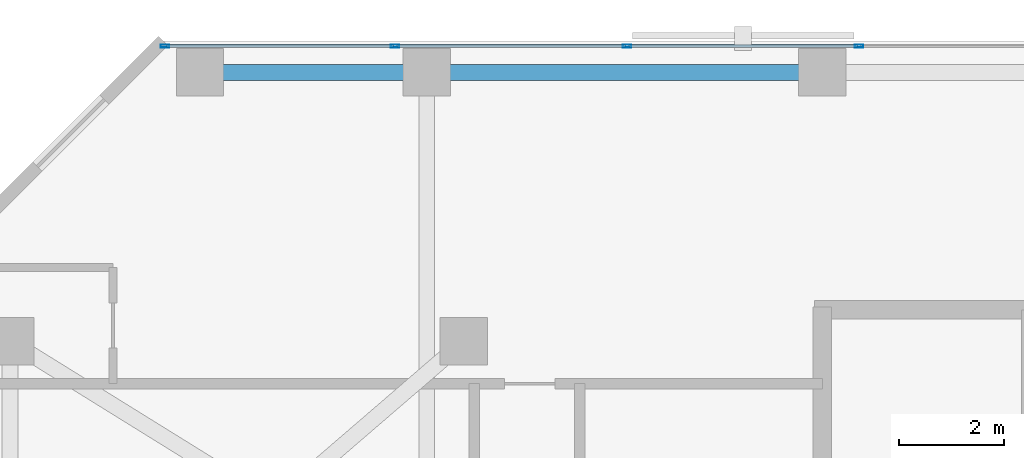
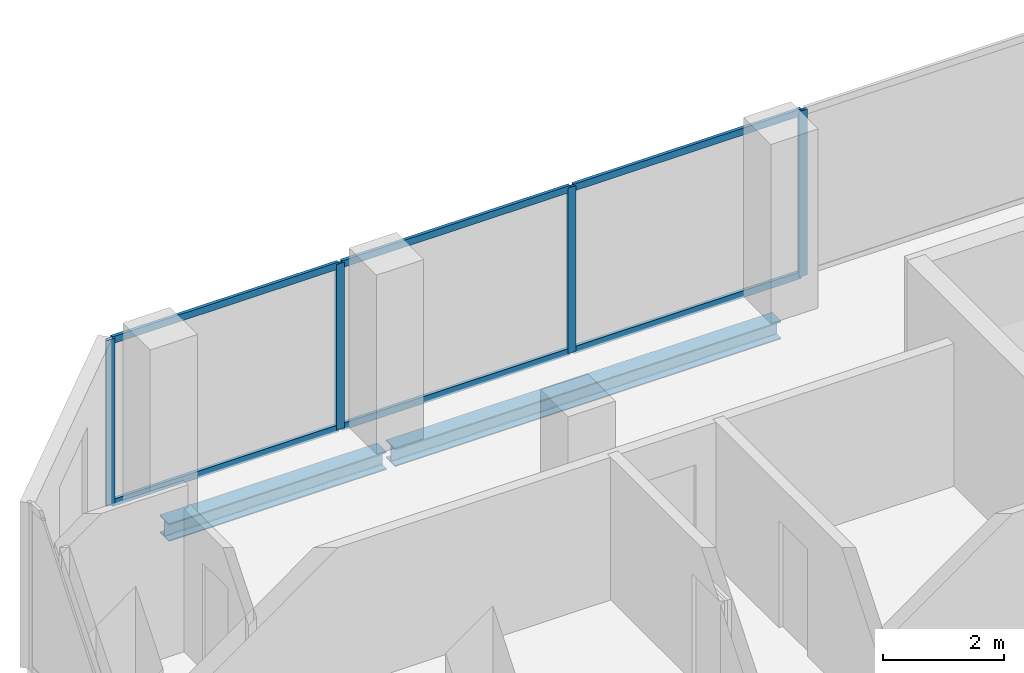
# One storey, part 19 of 33: 10 members, 2 beams, 1 element without a shape of its own.
"""IFC4 building model written with IfcOpenShell, lengths in metres."""

from ifc_helpers import new_model, si_unit, direction, frame, origin, origin_2d, place, context, subcontext, project, spatial, hollow_rectangle, i_section, extrude, material, layer, layer_set, material_profile, profile_set, type_object, element, aggregate, save


model = new_model("IFC4")

# Units and contexts
model_context = context("Model", 3, precision=1e-05, world=origin(), true_north=direction((0.0, 1.0)))
body_context = subcontext(model_context, "Body", "Model", "MODEL_VIEW")
ifc_project = project(units=[si_unit("LENGTHUNIT", "METRE"), si_unit("AREAUNIT", "SQUARE_METRE"), si_unit("VOLUMEUNIT", "CUBIC_METRE"), si_unit("PLANEANGLEUNIT", "RADIAN"), si_unit("MASSUNIT", "GRAM", prefix="KILO")], contexts=[model_context])

# Site, building, storey
site_placement = place(None, origin())
site = spatial("IfcSite", under=ifc_project, at=site_placement, CompositionType="ELEMENT")
building_placement = place(site_placement, origin())
building = spatial("IfcBuilding", under=site, at=building_placement, Name="Catumbela Crestline Tower", CompositionType="ELEMENT")
storey_placement = place(building_placement, frame((0.0, 0.0, 104.4)))
storey = spatial("IfcBuildingStorey", under=building, at=storey_placement, Name="L26", CompositionType="ELEMENT", Elevation=104.4)

# Curtain wall, members
ifc_material_1 = material(Name="Aluminium alloy AW-6060-T66", Category="aluminium")
ifc_layer = layer(ifc_material_1, 0.18, Name="Aluminium alloy AW-6060-T66")
ifc_layer_set = layer_set([ifc_layer], Name="Aluminium alloy AW-6060-T66")
curtain_wall_type = type_object("IfcCurtainWallType", Name="CWU-Z2", PredefinedType="USERDEFINED", material=ifc_layer_set)
curtain_wall_placement = place(storey_placement, origin())
curtain_wall = element("IfcCurtainWall", 1, at=curtain_wall_placement, inside=storey, type_object=curtain_wall_type, Name="L26 Unitised Curtain Wall CW-L26-E7S1", ObjectType="UNITISED", PredefinedType="USERDEFINED")
ifc_material_profile_1 = material_profile(ifc_material_1, hollow_rectangle(XDim=0.06, YDim=0.16, WallThickness=0.004, at=origin_2d()), Name="ALU 160x60x4")
ifc_profile_set_1 = profile_set([ifc_material_profile_1], Name="Aluminium alloy AW-6060-T66")
member_type_1 = type_object("IfcMemberType", Name="MUL-160X60", PredefinedType="MULLION", material=ifc_profile_set_1)
member_1_placement = place(storey_placement, frame((16.7, 47.9, 0.0), z_axis=(0.0, 0.0, 1.0), x_axis=(0.0, -1.0, 0.0)))
member_1 = element("IfcMember", 2, at=member_1_placement, type_object=member_type_1, Name="CWU-Z2 mullion 8", PredefinedType="MULLION", context=body_context, shape_type="SweptSolid", body=[
    extrude(hollow_rectangle(XDim=0.06, YDim=0.16, WallThickness=0.004, at=origin_2d()), origin(), (0.0, 0.0, 1.0), 3.33),
])
member_2_placement = place(storey_placement, frame((12.3, 47.9, 0.0), z_axis=(0.0, 0.0, 1.0), x_axis=(0.0, -1.0, 0.0)))
member_2 = element("IfcMember", 3, at=member_2_placement, type_object=member_type_1, Name="CWU-Z2 mullion 9", PredefinedType="MULLION", context=body_context, shape_type="SweptSolid", body=[
    extrude(hollow_rectangle(XDim=0.06, YDim=0.16, WallThickness=0.004, at=origin_2d()), origin(), (0.0, 0.0, 1.0), 3.33),
])
member_3_placement = place(storey_placement, frame((7.9, 47.9, 0.0), z_axis=(0.0, 0.0, 1.0), x_axis=(0.0, -1.0, 0.0)))
member_3 = element("IfcMember", 4, at=member_3_placement, type_object=member_type_1, Name="CWU-Z2 mullion 10", PredefinedType="MULLION", context=body_context, shape_type="SweptSolid", body=[
    extrude(hollow_rectangle(XDim=0.06, YDim=0.16, WallThickness=0.004, at=origin_2d()), origin(), (0.0, 0.0, 1.0), 3.33),
])
member_4_placement = place(storey_placement, frame((3.5325, 47.9, 0.0), z_axis=(0.0, 0.0, 1.0), x_axis=(0.0, -1.0, 0.0)))
member_4 = element("IfcMember", 5, at=member_4_placement, type_object=member_type_1, Name="CWU-Z2 mullion 11", PredefinedType="MULLION", context=body_context, shape_type="SweptSolid", body=[
    extrude(hollow_rectangle(XDim=0.06, YDim=0.16, WallThickness=0.004, at=origin_2d()), origin(), (0.0, 0.0, 1.0), 3.33),
])

# Beams
ifc_material_2 = material(Name="Structural steel S355J2", Category="steel")
ifc_material_profile_2 = material_profile(ifc_material_2, i_section(OverallWidth=0.3, OverallDepth=0.36, WebThickness=0.0125, FlangeThickness=0.0225, FilletRadius=0.027, at=origin_2d()), Name="HEB 360")
ifc_profile_set_2 = profile_set([ifc_material_profile_2], Name="Structural steel S355J2")
beam_type = type_object("IfcBeamType", Name="BS-HEB360", PredefinedType="SPANDREL", material=ifc_profile_set_2)
beam_1_placement = place(storey_placement, frame((4.28, 47.4, -0.44), z_axis=(1.0, 0.0, 0.0), x_axis=(0.0, 1.0, 0.0)))
element("IfcBeam", 6, at=beam_1_placement, inside=storey, type_object=beam_type, Name="L26 Spandrel SP-L26-NF17", PredefinedType="SPANDREL", context=body_context, shape_type="SweptSolid", body=[
    extrude(i_section(OverallWidth=0.3, OverallDepth=0.36, WebThickness=0.0125, FlangeThickness=0.0225, FilletRadius=0.027, at=origin_2d()), origin(), (0.0, 0.0, 1.0), 4.14),
])
beam_2_placement = place(storey_placement, frame((8.58, 47.4, -0.44), z_axis=(1.0, 0.0, 0.0), x_axis=(0.0, 1.0, 0.0)))
element("IfcBeam", 7, at=beam_2_placement, inside=storey, type_object=beam_type, Name="L26 Spandrel SP-L26-NF18", PredefinedType="SPANDREL", context=body_context, shape_type="SweptSolid", body=[
    extrude(i_section(OverallWidth=0.3, OverallDepth=0.36, WebThickness=0.0125, FlangeThickness=0.0225, FilletRadius=0.027, at=origin_2d()), origin(), (0.0, 0.0, 1.0), 7.34),
])

# Member
ifc_material_profile_3 = material_profile(ifc_material_1, hollow_rectangle(XDim=0.06, YDim=0.14, WallThickness=0.004, at=origin_2d()), Name="ALU 140x60x4")
ifc_profile_set_3 = profile_set([ifc_material_profile_3], Name="Aluminium alloy AW-6060-T66")
member_type_2 = type_object("IfcMemberType", Name="TRN-140X60", PredefinedType="USERDEFINED", material=ifc_profile_set_3)
member_5_placement = place(storey_placement, frame((16.6675, 47.9, 0.03), z_axis=(-1.0, 0.0, 0.0), x_axis=(0.0, -1.0, 0.0)))
member_5 = element("IfcMember", 8, at=member_5_placement, type_object=member_type_2, Name="CWU-Z2 transom 8.1", ObjectType="TRANSOM", PredefinedType="USERDEFINED", context=body_context, shape_type="SweptSolid", body=[
    extrude(hollow_rectangle(XDim=0.06, YDim=0.14, WallThickness=0.004, at=origin_2d()), origin(), (0.0, 0.0, 1.0), 4.335),
])

member_6_placement = place(storey_placement, frame((16.6675, 47.9, 3.3), z_axis=(-1.0, 0.0, 0.0), x_axis=(0.0, -1.0, 0.0)))
member_6 = element("IfcMember", 9, at=member_6_placement, type_object=member_type_2, Name="CWU-Z2 transom 8.2", ObjectType="TRANSOM", PredefinedType="USERDEFINED", context=body_context, shape_type="SweptSolid", body=[
    extrude(hollow_rectangle(XDim=0.06, YDim=0.14, WallThickness=0.004, at=origin_2d()), origin(), (0.0, 0.0, 1.0), 4.335),
])

member_7_placement = place(storey_placement, frame((12.2675, 47.9, 0.03), z_axis=(-1.0, 0.0, 0.0), x_axis=(0.0, -1.0, 0.0)))
member_7 = element("IfcMember", 10, at=member_7_placement, type_object=member_type_2, Name="CWU-Z2 transom 9.1", ObjectType="TRANSOM", PredefinedType="USERDEFINED", context=body_context, shape_type="SweptSolid", body=[
    extrude(hollow_rectangle(XDim=0.06, YDim=0.14, WallThickness=0.004, at=origin_2d()), origin(), (0.0, 0.0, 1.0), 4.335),
])

member_8_placement = place(storey_placement, frame((12.2675, 47.9, 3.3), z_axis=(-1.0, 0.0, 0.0), x_axis=(0.0, -1.0, 0.0)))
member_8 = element("IfcMember", 11, at=member_8_placement, type_object=member_type_2, Name="CWU-Z2 transom 9.2", ObjectType="TRANSOM", PredefinedType="USERDEFINED", context=body_context, shape_type="SweptSolid", body=[
    extrude(hollow_rectangle(XDim=0.06, YDim=0.14, WallThickness=0.004, at=origin_2d()), origin(), (0.0, 0.0, 1.0), 4.335),
])

member_9_placement = place(storey_placement, frame((7.8675, 47.9, 0.03), z_axis=(-1.0, 0.0, 0.0), x_axis=(0.0, -1.0, 0.0)))
member_9 = element("IfcMember", 12, at=member_9_placement, type_object=member_type_2, Name="CWU-Z2 transom 10.1", ObjectType="TRANSOM", PredefinedType="USERDEFINED", context=body_context, shape_type="SweptSolid", body=[
    extrude(hollow_rectangle(XDim=0.06, YDim=0.14, WallThickness=0.004, at=origin_2d()), origin(), (0.0, 0.0, 1.0), 4.3025),
])

member_10_placement = place(storey_placement, frame((7.8675, 47.9, 3.3), z_axis=(-1.0, 0.0, 0.0), x_axis=(0.0, -1.0, 0.0)))
member_10 = element("IfcMember", 13, at=member_10_placement, type_object=member_type_2, Name="CWU-Z2 transom 10.2", ObjectType="TRANSOM", PredefinedType="USERDEFINED", context=body_context, shape_type="SweptSolid", body=[
    extrude(hollow_rectangle(XDim=0.06, YDim=0.14, WallThickness=0.004, at=origin_2d()), origin(), (0.0, 0.0, 1.0), 4.3025),
])

aggregate(curtain_wall, [member_1, member_2, member_3, member_4, member_5, member_6, member_7, member_8, member_9, member_10])

save(model, "model.ifc")
